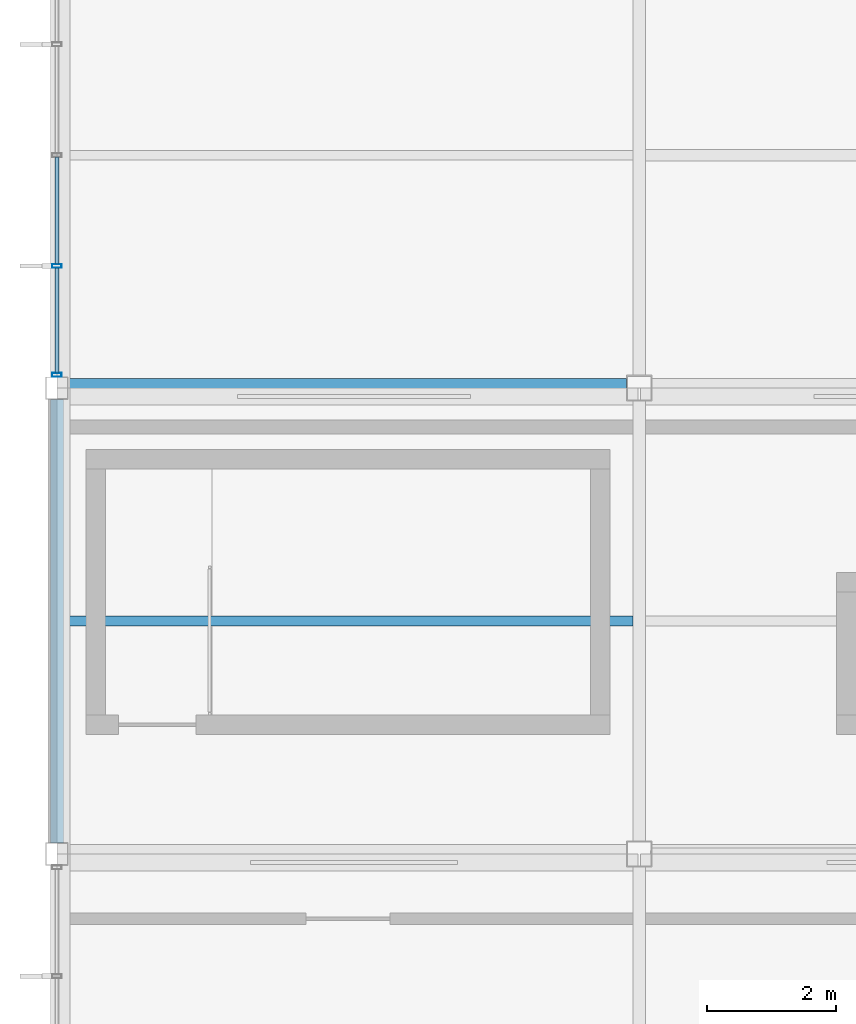
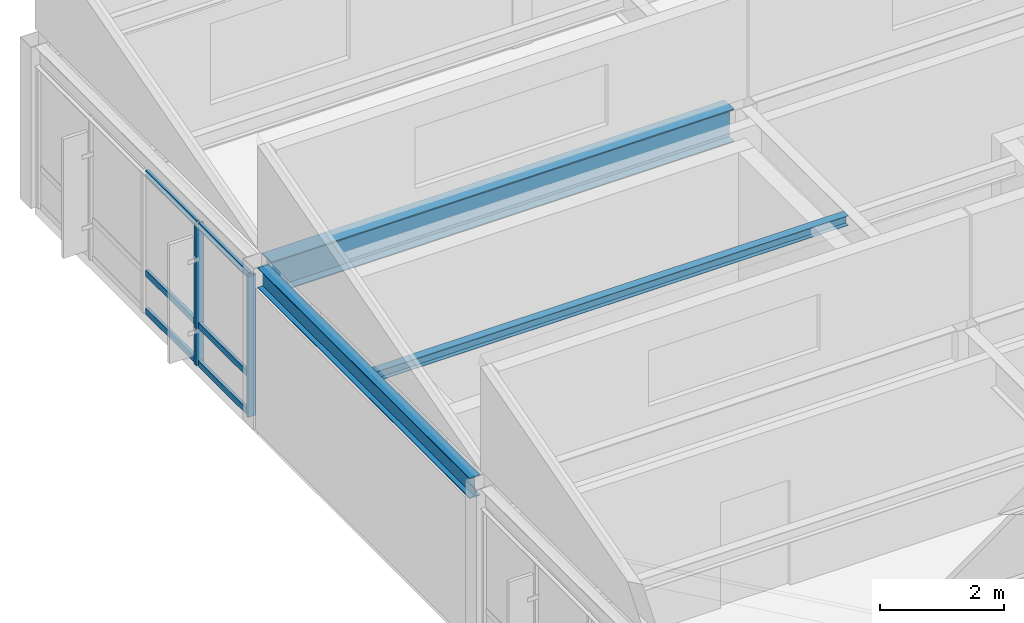
# One storey, part 14 of 43: 8 members, 3 beams, 1 element without a shape of its own.
"""IFC4 building model written with IfcOpenShell, lengths in metres."""

import ifcopenshell
import ifcopenshell.guid

model = None  # the IFC model being written
_history = None  # IfcOwnerHistory: only IFC2X3 demands one
_inside = {}  # id of a spatial element -> (the spatial element, [elements in it])
_under = {}  # id of a project, library or spatial element -> (it, [spatial elements below it])
_declared = {}  # id of a project -> (the project, [libraries it declares])
_typed = {}  # id of a type object -> (the type object, [elements of that type])
_made_of = {}  # id of a material, layer set ... -> (it, [elements and type objects made of it])


def new_model(schema):
    """Start an empty IFC model of exactly this schema.

    Asked for "IFC4X3", IfcOpenShell would pick the latest addendum, in which some entities
    have other attributes; the version numbers below select the first issue.
    IFC2X3 requires an IfcOwnerHistory on every rooted entity: one is made here for all.
    """
    global model, _history
    if schema == "IFC4X3":
        model = ifcopenshell.file(schema_version=(4, 3, 0, 0))
    else:
        model = ifcopenshell.file(schema=schema)
    _inside.clear()
    _under.clear()
    _declared.clear()
    _typed.clear()
    _made_of.clear()
    _history = None
    if model.schema == "IFC2X3":
        org = make("IfcOrganization", Name="unknown")
        user = make(
            "IfcPersonAndOrganization",
            ThePerson=make("IfcPerson", FamilyName="unknown"),
            TheOrganization=org,
        )
        app = make(
            "IfcApplication",
            ApplicationDeveloper=org,
            Version="unknown",
            ApplicationFullName="unknown",
            ApplicationIdentifier="unknown",
        )
        _history = make(
            "IfcOwnerHistory",
            OwningUser=user,
            OwningApplication=app,
            ChangeAction="ADDED",
            CreationDate=0,
        )
    return model


def make(cls, **values):
    """One entity of the class cls with the attributes given. An attribute that is None is left unset."""
    return model.create_entity(
        cls, **{name: value for name, value in values.items() if value is not None}
    )


def rooted(cls, **values):
    """An entity with a GlobalId (a new one), such as an element, a storey or a relation."""
    return make(cls, GlobalId=ifcopenshell.guid.new(), OwnerHistory=_history, **values)


def si_unit(unit_type, name, prefix=None):
    """IfcSIUnit, for example si_unit("LENGTHUNIT", "METRE", prefix="MILLI")."""
    return make("IfcSIUnit", UnitType=unit_type, Prefix=prefix, Name=name)


def assignment(units):
    """IfcUnitAssignment: the units of a project."""
    return None if units is None else make("IfcUnitAssignment", Units=units)


def point(xyz):
    """IfcCartesianPoint."""
    return None if xyz is None else make("IfcCartesianPoint", Coordinates=xyz)


def direction(xyz):
    """IfcDirection."""
    return None if xyz is None else make("IfcDirection", DirectionRatios=xyz)


def frame(location, z_axis=None, x_axis=None):
    """IfcAxis2Placement3D, a coordinate frame: its origin and axes. An axis left out is left unset."""
    return make(
        "IfcAxis2Placement3D",
        Location=point(location),
        Axis=direction(z_axis),
        RefDirection=direction(x_axis),
    )


def frame_2d(location, x_axis=None):
    """IfcAxis2Placement2D, a coordinate frame in the plane: its origin and x axis."""
    return make(
        "IfcAxis2Placement2D", Location=point(location), RefDirection=direction(x_axis)
    )


def origin():
    """The frame at (0, 0, 0) with its axes left unset."""
    return frame((0.0, 0.0, 0.0))


def origin_2d():
    """The frame at (0, 0) in the plane with its x axis left unset."""
    return frame_2d((0.0, 0.0))


def place(relative_to, where):
    """IfcLocalPlacement: puts the frame where relative to a parent placement (None: the world)."""
    return make(
        "IfcLocalPlacement", PlacementRelTo=relative_to, RelativePlacement=where
    )


def context(
    kind, dimensions, precision=None, world=None, true_north=None, identifier=None
):
    """IfcGeometricRepresentationContext, for example the 3D "Model" context."""
    return make(
        "IfcGeometricRepresentationContext",
        ContextIdentifier=identifier,
        ContextType=kind,
        CoordinateSpaceDimension=dimensions,
        Precision=precision,
        WorldCoordinateSystem=world,
        TrueNorth=true_north,
    )


def subcontext(parent, identifier, kind, view, scale=None):
    """IfcGeometricRepresentationSubContext, for example "Body" below "Model"."""
    return make(
        "IfcGeometricRepresentationSubContext",
        ContextIdentifier=identifier,
        ContextType=kind,
        ParentContext=parent,
        TargetScale=scale,
        TargetView=view,
    )


def project(units=None, contexts=None):
    """IfcProject with its units and contexts."""
    return rooted(
        "IfcProject",
        Name="project",
        RepresentationContexts=contexts,
        UnitsInContext=assignment(units),
    )


def spatial(cls, under=None, at=None, **own):
    """A site, building, storey or space (cls), placed at a placement, below another one or the project."""
    s = rooted(cls, ObjectPlacement=at, **own)
    if under is not None:
        _under.setdefault(under.id(), (under, []))[1].append(s)
    return s


def profile(cls, at=None, kind="AREA", **sizes):
    """A parametric profile (cls). Its sizes go by their IFC names, for example OverallWidth=200.0."""
    return make(cls, ProfileType=kind, Position=at, **sizes)


def hollow_rectangle(**sizes):
    """IfcRectangleHollowProfileDef."""
    return profile("IfcRectangleHollowProfileDef", **sizes)


def i_section(**sizes):
    """IfcIShapeProfileDef."""
    return profile("IfcIShapeProfileDef", **sizes)


def extrude(swept, where, along, depth):
    """IfcExtrudedAreaSolid: the profile swept, set in the frame where, extruded along a direction by depth."""
    return make(
        "IfcExtrudedAreaSolid",
        SweptArea=swept,
        Position=where,
        ExtrudedDirection=direction(along),
        Depth=depth,
    )


def shape(context_of_items, identifier, shape_type, items):
    """IfcShapeRepresentation: the items that make up one representation, for example the "Body"."""
    return make(
        "IfcShapeRepresentation",
        ContextOfItems=context_of_items,
        RepresentationIdentifier=identifier,
        RepresentationType=shape_type,
        Items=items,
    )


def material(Name=None, Category=None):
    """IfcMaterial."""
    return make("IfcMaterial", Name=Name, Category=Category)


def material_profile(
    of_material, cross_section, Name=None, Category=None, Priority=None
):
    """IfcMaterialProfile: a cross section and its material."""
    return make(
        "IfcMaterialProfile",
        Name=Name,
        Material=of_material,
        Profile=cross_section,
        Priority=Priority,
        Category=Category,
    )


def profile_set(profiles, Name=None, composite=None):
    """IfcMaterialProfileSet."""
    return make(
        "IfcMaterialProfileSet",
        Name=Name,
        MaterialProfiles=profiles,
        CompositeProfile=composite,
    )


def made_of(thing, what):
    """Note that an element or type object is made of a material, layer set ...; save() writes the relation."""
    if what is not None:
        _made_of.setdefault(what.id(), (what, []))[1].append(thing)
    return thing


def type_object(cls, material=None, **own):
    """A type object (cls), such as IfcWallType, which elements share."""
    return made_of(rooted(cls, **own), material)


def element(
    cls,
    number,
    at=None,
    inside=None,
    cuts=None,
    type_object=None,
    material=None,
    context=None,
    identifier="Body",
    shape_type=None,
    held_by="IfcProductDefinitionShape",
    body=None,
    shapes=None,
    **own,
):
    """One element of the class cls, such as IfcWall. Its Tag is "e" and its number.

    at: its placement. inside: the storey or other place that contains it. cuts: it is an
    opening in that element (IfcRelVoidsElement). A single representation is given by context,
    identifier, shape_type and body (its items); several are given by shapes. held_by: the class
    of the entity that holds the representations. save() writes the other relations.
    """
    e = rooted(cls, Tag="e%d" % number, ObjectPlacement=at, **own)
    if body is not None:
        shapes = [shape(context, identifier, shape_type, body)]
    if shapes is not None:
        e.Representation = make(held_by, Representations=shapes)
    if inside is not None:
        _inside.setdefault(inside.id(), (inside, []))[1].append(e)
    if cuts is not None:
        rooted(
            "IfcRelVoidsElement", RelatingBuildingElement=cuts, RelatedOpeningElement=e
        )
    if type_object is not None:
        _typed.setdefault(type_object.id(), (type_object, []))[1].append(e)
    return made_of(e, material)


def aggregate(whole, parts):
    """IfcRelAggregates: a whole, such as a stair, and the parts it consists of."""
    return rooted("IfcRelAggregates", RelatingObject=whole, RelatedObjects=parts)


def save(model, path):
    """Write the relations noted so far, then the file.

    IfcRelAggregates (storeys below a building ...), IfcRelContainedInSpatialStructure (elements
    in a storey), IfcRelDefinesByType, IfcRelAssociatesMaterial and IfcRelDeclares: one each for
    every whole, place, type object, material and project.
    """
    for whole, parts in _under.values():
        aggregate(whole, parts)
    for where, things in _inside.values():
        rooted(
            "IfcRelContainedInSpatialStructure",
            RelatedElements=things,
            RelatingStructure=where,
        )
    for kind, things in _typed.values():
        rooted("IfcRelDefinesByType", RelatedObjects=things, RelatingType=kind)
    for what, things in _made_of.values():
        rooted("IfcRelAssociatesMaterial", RelatedObjects=things, RelatingMaterial=what)
    for by, libraries in _declared.values():
        rooted("IfcRelDeclares", RelatingContext=by, RelatedDefinitions=libraries)
    model.write(path)


model = new_model("IFC4")

# Units and contexts
model_context = context("Model", 3, precision=1e-05, world=origin(), true_north=direction((0.0, 1.0)))
body_context = subcontext(model_context, "Body", "Model", "MODEL_VIEW")
ifc_project = project(units=[si_unit("LENGTHUNIT", "METRE"), si_unit("AREAUNIT", "SQUARE_METRE"), si_unit("VOLUMEUNIT", "CUBIC_METRE"), si_unit("PLANEANGLEUNIT", "RADIAN"), si_unit("MASSUNIT", "GRAM", prefix="KILO")], contexts=[model_context])

# Site, building, storey
site_placement = place(None, origin())
site = spatial("IfcSite", under=ifc_project, at=site_placement, CompositionType="ELEMENT")
building_placement = place(site_placement, origin())
building = spatial("IfcBuilding", under=site, at=building_placement, Name="Kazanami Central Library", CompositionType="ELEMENT")
storey_placement = place(building_placement, frame((0.0, 0.0, 20.60009765625)))
storey = spatial("IfcBuildingStorey", under=building, at=storey_placement, Name="L06", CompositionType="ELEMENT", Elevation=20.60009765625)

# Beams
ifc_material_1 = material(Name="Steel SN400B (235 MPa)", Category="steel")
ifc_material_profile_1 = material_profile(ifc_material_1, i_section(OverallWidth=0.14990234375, OverallDepth=0.194091796875, WebThickness=0.006103515625, FlangeThickness=0.009033203125, at=origin_2d()), Name="H-194x150x6x9")
ifc_profile_set_1 = profile_set([ifc_material_profile_1], Name="Steel SN400B (235 MPa)")
beam_type_1 = type_object("IfcBeamType", Name="BM-B-S7", PredefinedType="JOIST", material=ifc_profile_set_1)
beam_1_placement = place(storey_placement, frame((0.097900390625, 82.800048828125, 3.0830078125), z_axis=(1.0, 0.0, 0.0), x_axis=(0.0, 1.0, 0.0)))
element("IfcBeam", 1, at=beam_1_placement, inside=storey, type_object=beam_type_1, Name="Composite Secondary Joist B-S7 L06 Bay 1/M.1", PredefinedType="JOIST", context=body_context, shape_type="SweptSolid", body=[
    extrude(i_section(OverallWidth=0.14990234375, OverallDepth=0.194091796875, WebThickness=0.006103515625, FlangeThickness=0.009033203125, at=origin_2d()), origin(), (0.0, 0.0, 1.0), 8.80419921875),
])
ifc_material_2 = material(Name="Steel SN490B (325 MPa)", Category="steel")
ifc_material_profile_2 = material_profile(ifc_material_2, i_section(OverallWidth=0.300048828125, OverallDepth=0.64990234375, WebThickness=0.012939453125, FlangeThickness=0.02099609375, at=origin_2d()), Name="H-650x300x13x21")
ifc_profile_set_2 = profile_set([ifc_material_profile_2], Name="Steel SN490B (325 MPa)")
beam_type_2 = type_object("IfcBeamType", Name="BM-G-TR", PredefinedType="BEAM", material=ifc_profile_set_2)
beam_2_placement = place(storey_placement, frame((0.173095703125, 86.39990234375, 2.85498046875), z_axis=(1.0, 0.0, 0.0), x_axis=(0.0, 1.0, 0.0)))
element("IfcBeam", 2, at=beam_2_placement, inside=storey, type_object=beam_type_2, Name="Girder G-TR L06 N/1-2", PredefinedType="BEAM", context=body_context, shape_type="SweptSolid", body=[
    extrude(i_section(OverallWidth=0.300048828125, OverallDepth=0.64990234375, WebThickness=0.012939453125, FlangeThickness=0.02099609375, at=origin_2d()), origin(), (0.0, 0.0, 1.0), 8.62890625),
])
ifc_material_profile_3 = material_profile(ifc_material_2, i_section(OverallWidth=0.199951171875, OverallDepth=0.39990234375, WebThickness=0.008056640625, FlangeThickness=0.012939453125, at=origin_2d()), Name="H-400x200x8x13")
ifc_profile_set_3 = profile_set([ifc_material_profile_3], Name="Steel SN490B (325 MPa)")
beam_type_3 = type_object("IfcBeamType", Name="BM-SP-3", PredefinedType="SPANDREL", material=ifc_profile_set_3)
beam_3_placement = place(storey_placement, frame((0.0, 79.373046875, 2.97998046875), z_axis=(0.0, 1.0, 0.0), x_axis=(-1.0, 0.0, 0.0)))
element("IfcBeam", 3, at=beam_3_placement, inside=storey, type_object=beam_type_3, Name="Girder SP-3 L06 1/M-N", PredefinedType="SPANDREL", context=body_context, shape_type="SweptSolid", body=[
    extrude(i_section(OverallWidth=0.199951171875, OverallDepth=0.39990234375, WebThickness=0.008056640625, FlangeThickness=0.012939453125, at=origin_2d()), origin(), (0.0, 0.0, 1.0), 6.85400390625),
])

# Curtain wall, members
ifc_material_3 = material(Name="Acid-Etched Low-E Laminated Glass", Category="glass")
curtain_wall_type = type_object("IfcCurtainWallType", Name="CW-6850x2780-M180", PredefinedType="USERDEFINED", material=ifc_material_3)
curtain_wall_placement = place(storey_placement, origin())
curtain_wall = element("IfcCurtainWall", 4, at=curtain_wall_placement, inside=storey, type_object=curtain_wall_type, Name="Unitised Curtain Wall CW-58 L06 W-1-12", ObjectType="UNITISED CURTAIN WALL", PredefinedType="USERDEFINED")
ifc_material_4 = material(Name="Anodised Aluminium A6063-T5", Category="aluminium")
ifc_material_profile_4 = material_profile(ifc_material_4, hollow_rectangle(XDim=0.06005859375, YDim=0.14990234375, WallThickness=0.00390625, at=origin_2d()), Name="ALU-MULL-60x150x4")
ifc_profile_set_4 = profile_set([ifc_material_profile_4], Name="Anodised Aluminium A6063-T5")
member_type_1 = type_object("IfcMemberType", Name="MEM-CW-M3", PredefinedType="MULLION", material=ifc_profile_set_4)
member_1_placement = place(storey_placement, frame((0.0, 86.60498046875, 0.0), z_axis=(0.0, 0.0, 1.0), x_axis=(0.0, 1.0, 0.0)))
member_1 = element("IfcMember", 5, at=member_1_placement, type_object=member_type_1, Name="CW-58 mullion 1", PredefinedType="MULLION", context=body_context, shape_type="SweptSolid", body=[
    extrude(hollow_rectangle(XDim=0.06005859375, YDim=0.14990234375, WallThickness=0.00390625, at=origin_2d()), origin(), (0.0, 0.0, 1.0), 2.77978515625),
])
member_2_placement = place(storey_placement, frame((0.0, 88.28759765625, 0.0), z_axis=(0.0, 0.0, 1.0), x_axis=(0.0, 1.0, 0.0)))
member_2 = element("IfcMember", 6, at=member_2_placement, type_object=member_type_1, Name="CW-58 mullion 2", PredefinedType="MULLION", context=body_context, shape_type="SweptSolid", body=[
    extrude(hollow_rectangle(XDim=0.06005859375, YDim=0.14990234375, WallThickness=0.00390625, at=origin_2d()), origin(), (0.0, 0.0, 1.0), 2.77978515625),
])
ifc_material_profile_5 = material_profile(ifc_material_4, hollow_rectangle(XDim=0.06005859375, YDim=0.1201171875, WallThickness=0.00341796875, at=origin_2d()), Name="ALU-TRAN-60x120x3.5")
ifc_profile_set_5 = profile_set([ifc_material_profile_5], Name="Anodised Aluminium A6063-T5")
member_type_2 = type_object("IfcMemberType", Name="MEM-CW-T3", PredefinedType="USERDEFINED", material=ifc_profile_set_5)
member_3_placement = place(storey_placement, frame((0.0, 86.635009765625, 0.02978515625), z_axis=(0.0, 1.0, 0.0), x_axis=(-1.0, 0.0, 0.0)))
member_3 = element("IfcMember", 7, at=member_3_placement, type_object=member_type_2, Name="CW-58 transom 1.1", ObjectType="TRANSOM", PredefinedType="USERDEFINED", context=body_context, shape_type="SweptSolid", body=[
    extrude(hollow_rectangle(XDim=0.06005859375, YDim=0.1201171875, WallThickness=0.00341796875, at=origin_2d()), origin(), (0.0, 0.0, 1.0), 1.62255859375),
])
member_4_placement = place(storey_placement, frame((0.0, 86.635009765625, 0.77978515625), z_axis=(0.0, 1.0, 0.0), x_axis=(-1.0, 0.0, 0.0)))
member_4 = element("IfcMember", 8, at=member_4_placement, type_object=member_type_2, Name="CW-58 transom 1.2", ObjectType="TRANSOM", PredefinedType="USERDEFINED", context=body_context, shape_type="SweptSolid", body=[
    extrude(hollow_rectangle(XDim=0.06005859375, YDim=0.1201171875, WallThickness=0.00341796875, at=origin_2d()), origin(), (0.0, 0.0, 1.0), 1.62255859375),
])
member_5_placement = place(storey_placement, frame((0.0, 86.635009765625, 2.75), z_axis=(0.0, 1.0, 0.0), x_axis=(-1.0, 0.0, 0.0)))
member_5 = element("IfcMember", 9, at=member_5_placement, type_object=member_type_2, Name="CW-58 transom 1.3", ObjectType="TRANSOM", PredefinedType="USERDEFINED", context=body_context, shape_type="SweptSolid", body=[
    extrude(hollow_rectangle(XDim=0.06005859375, YDim=0.1201171875, WallThickness=0.00341796875, at=origin_2d()), origin(), (0.0, 0.0, 1.0), 1.62255859375),
])
member_6_placement = place(storey_placement, frame((0.0, 88.3173828125, 0.02978515625), z_axis=(0.0, 1.0, 0.0), x_axis=(-1.0, 0.0, 0.0)))
member_6 = element("IfcMember", 10, at=member_6_placement, type_object=member_type_2, Name="CW-58 transom 2.1", ObjectType="TRANSOM", PredefinedType="USERDEFINED", context=body_context, shape_type="SweptSolid", body=[
    extrude(hollow_rectangle(XDim=0.06005859375, YDim=0.1201171875, WallThickness=0.00341796875, at=origin_2d()), origin(), (0.0, 0.0, 1.0), 1.652587890625),
])
member_7_placement = place(storey_placement, frame((0.0, 88.3173828125, 0.77978515625), z_axis=(0.0, 1.0, 0.0), x_axis=(-1.0, 0.0, 0.0)))
member_7 = element("IfcMember", 11, at=member_7_placement, type_object=member_type_2, Name="CW-58 transom 2.2", ObjectType="TRANSOM", PredefinedType="USERDEFINED", context=body_context, shape_type="SweptSolid", body=[
    extrude(hollow_rectangle(XDim=0.06005859375, YDim=0.1201171875, WallThickness=0.00341796875, at=origin_2d()), origin(), (0.0, 0.0, 1.0), 1.652587890625),
])
member_8_placement = place(storey_placement, frame((0.0, 88.3173828125, 2.75), z_axis=(0.0, 1.0, 0.0), x_axis=(-1.0, 0.0, 0.0)))
member_8 = element("IfcMember", 12, at=member_8_placement, type_object=member_type_2, Name="CW-58 transom 2.3", ObjectType="TRANSOM", PredefinedType="USERDEFINED", context=body_context, shape_type="SweptSolid", body=[
    extrude(hollow_rectangle(XDim=0.06005859375, YDim=0.1201171875, WallThickness=0.00341796875, at=origin_2d()), origin(), (0.0, 0.0, 1.0), 1.652587890625),
])
aggregate(curtain_wall, [member_1, member_2, member_3, member_4, member_5, member_6, member_7, member_8])

save(model, "model.ifc")
